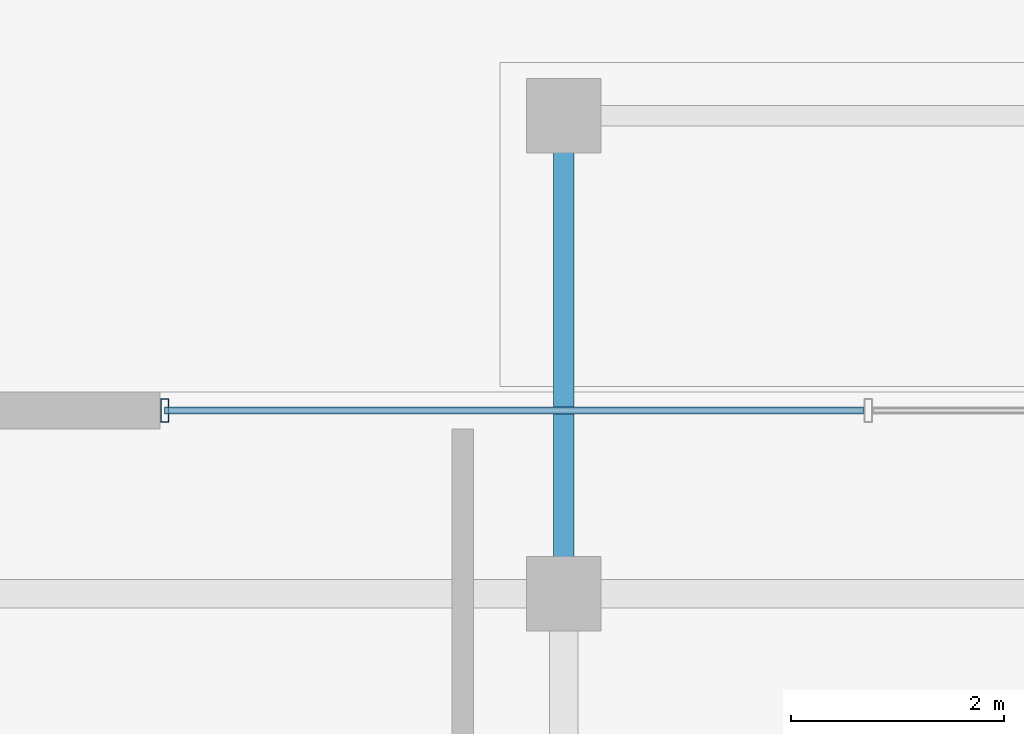
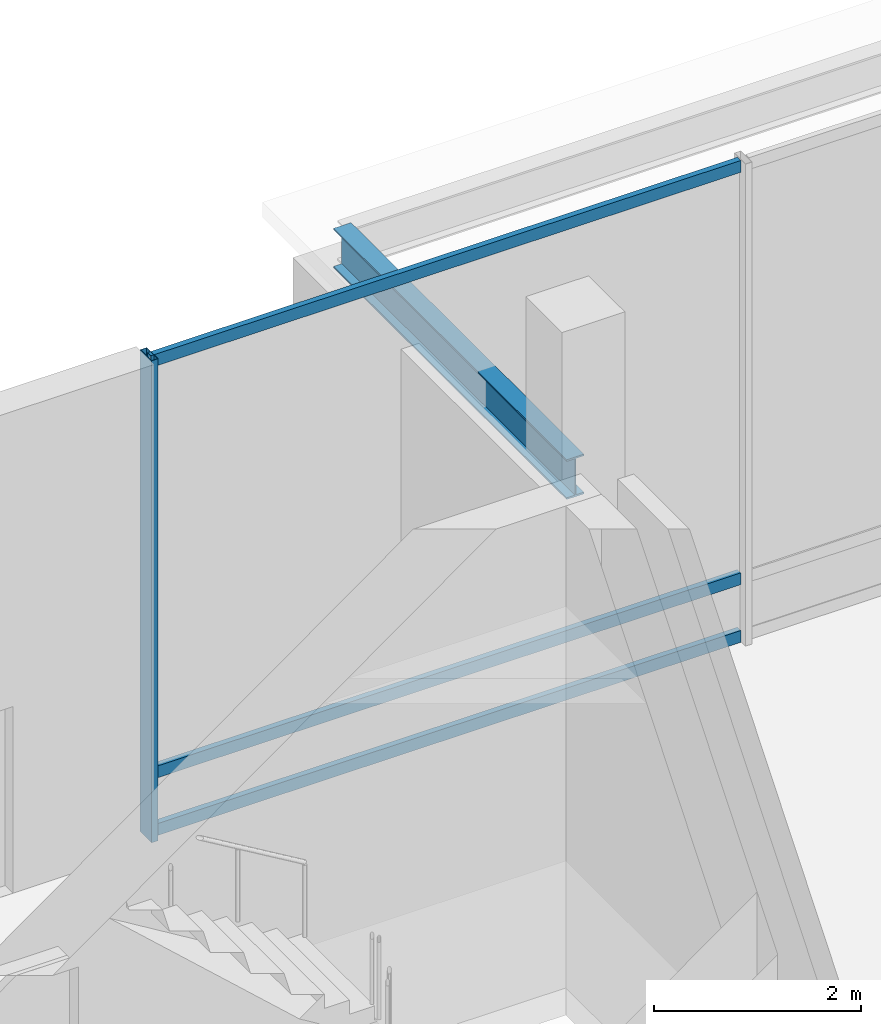
# One storey, part 20 of 34: 4 members, 1 beam, 1 element without a shape of its own.
"""IFC4 building model written with IfcOpenShell, lengths in metres."""

from ifc_helpers import new_model, si_unit, direction, frame, origin, origin_2d, place, context, subcontext, project, spatial, hollow_rectangle, i_section, extrude, material, layer, layer_set, material_profile, profile_set, type_object, element, aggregate, save


model = new_model("IFC4")

# Units and contexts
model_context = context("Model", 3, precision=1e-05, world=origin(), true_north=direction((0.0, 1.0)))
body_context = subcontext(model_context, "Body", "Model", "MODEL_VIEW")
ifc_project = project(units=[si_unit("LENGTHUNIT", "METRE"), si_unit("AREAUNIT", "SQUARE_METRE"), si_unit("VOLUMEUNIT", "CUBIC_METRE"), si_unit("PLANEANGLEUNIT", "RADIAN"), si_unit("MASSUNIT", "GRAM", prefix="KILO")], contexts=[model_context])

# Site, building, storey
site_placement = place(None, origin())
site = spatial("IfcSite", under=ifc_project, at=site_placement, CompositionType="ELEMENT")
building_placement = place(site_placement, origin())
building = spatial("IfcBuilding", under=site, at=building_placement, Name="Barlavira Tower and Art Museum", CompositionType="ELEMENT")
storey_placement = place(building_placement, origin())
storey = spatial("IfcBuildingStorey", under=building, at=storey_placement, Name="L00", CompositionType="ELEMENT", Elevation=0.0)

# Beam
ifc_material_1 = material(Name="Steel S355", Category="steel")
ifc_material_profile_1 = material_profile(ifc_material_1, i_section(OverallWidth=0.194091796875, OverallDepth=0.468994140625, WebThickness=0.0126953125, FlangeThickness=0.0205078125, at=origin_2d()), Name="W460x106.0")
ifc_profile_set_1 = profile_set([ifc_material_profile_1], Name="Steel S355")
beam_type = type_object("IfcBeamType", Name="Covered Arcade Roof Girder W460x106 Steel S355", PredefinedType="BEAM", material=ifc_profile_set_1)
beam_placement = place(storey_placement, frame((38.800048828125, 22.10009765625, 3.965576171875), z_axis=(0.0, 1.0, 0.0), x_axis=(-1.0, 0.0, 0.0)))
element("IfcBeam", 1, at=beam_placement, inside=storey, type_object=beam_type, Name="L00 N Pergola Tie Beam 1", PredefinedType="BEAM", context=body_context, shape_type="SweptSolid", body=[
    extrude(i_section(OverallWidth=0.194091796875, OverallDepth=0.468994140625, WebThickness=0.0126953125, FlangeThickness=0.0205078125, at=origin_2d()), origin(), (0.0, 0.0, 1.0), 4.5),
])

# Curtain wall, members
ifc_material_2 = material(Name="Low-iron coastal laminated glass", Category="glass")
ifc_layer = layer(ifc_material_2, 0.199951171875, Name="Low-iron coastal laminated glass")
ifc_layer_set = layer_set([ifc_layer], Name="Low-iron coastal laminated glass")
curtain_wall_type = type_object("IfcCurtainWallType", Name="Coastal Art Museum North-Light Curtain Wall", PredefinedType="NOTDEFINED", material=ifc_layer_set)
curtain_wall_placement = place(storey_placement, origin())
curtain_wall = element("IfcCurtainWall", 2, at=curtain_wall_placement, inside=storey, type_object=curtain_wall_type, Name="L00 Curtain Wall CW6-MUS-L00-N", PredefinedType="NOTDEFINED")
ifc_material_3 = material(Name="Pale anodised aluminium", Category="aluminium")
ifc_material_profile_2 = material_profile(ifc_material_3, hollow_rectangle(XDim=0.074951171875, YDim=0.219970703125, WallThickness=0.0048828125, at=origin_2d()), Name="ALU-MULL 75x220x5")
ifc_profile_set_2 = profile_set([ifc_material_profile_2], Name="Pale anodised aluminium")
member_type_1 = type_object("IfcMemberType", Name="Curtain Wall Heavy Pale-Metal Mullion 75x220", PredefinedType="MULLION", material=ifc_profile_set_2)
member_1_placement = place(storey_placement, frame((35.044921875, 23.824951171875, 0.0), z_axis=(0.0, 0.0, 1.0), x_axis=(-1.0, 0.0, 0.0)))
member_1 = element("IfcMember", 3, at=member_1_placement, type_object=member_type_1, Name="CW6-MUS-L00-N Mullion 3", PredefinedType="MULLION", context=body_context, shape_type="SweptSolid", body=[
    extrude(hollow_rectangle(XDim=0.074951171875, YDim=0.219970703125, WallThickness=0.0048828125, at=origin_2d()), origin(), (0.0, 0.0, 1.0), 5.679931640625),
])
ifc_material_profile_3 = material_profile(ifc_material_3, hollow_rectangle(XDim=0.06494140625, YDim=0.139892578125, WallThickness=0.00390625, at=origin_2d()), Name="ALU-TRAN 65x140x4")
ifc_profile_set_3 = profile_set([ifc_material_profile_3], Name="Pale anodised aluminium")
member_type_2 = type_object("IfcMemberType", Name="Curtain Wall Pale-Metal Transom 65x140", PredefinedType="USERDEFINED", material=ifc_profile_set_3)
member_2_placement = place(storey_placement, frame((41.62158203125, 23.824951171875, 0.070068359375), z_axis=(-1.0, 0.0, 0.0), x_axis=(0.0, -1.0, 0.0)))
member_2 = element("IfcMember", 4, at=member_2_placement, type_object=member_type_2, Name="CW6-MUS-L00-N Transom 2.1", ObjectType="TRANSOM", PredefinedType="USERDEFINED", context=body_context, shape_type="SweptSolid", body=[
    extrude(hollow_rectangle(XDim=0.06494140625, YDim=0.139892578125, WallThickness=0.00390625, at=origin_2d()), origin(), (0.0, 0.0, 1.0), 6.57666015625),
])
member_3_placement = place(storey_placement, frame((41.62158203125, 23.824951171875, 0.75), z_axis=(-1.0, 0.0, 0.0), x_axis=(0.0, -1.0, 0.0)))
member_3 = element("IfcMember", 5, at=member_3_placement, type_object=member_type_2, Name="CW6-MUS-L00-N Transom 2.2", ObjectType="TRANSOM", PredefinedType="USERDEFINED", context=body_context, shape_type="SweptSolid", body=[
    extrude(hollow_rectangle(XDim=0.06494140625, YDim=0.139892578125, WallThickness=0.00390625, at=origin_2d()), origin(), (0.0, 0.0, 1.0), 6.57666015625),
])
member_4_placement = place(storey_placement, frame((41.62158203125, 23.824951171875, 5.610107421875), z_axis=(-1.0, 0.0, 0.0), x_axis=(0.0, -1.0, 0.0)))
member_4 = element("IfcMember", 6, at=member_4_placement, type_object=member_type_2, Name="CW6-MUS-L00-N Transom 2.3", ObjectType="TRANSOM", PredefinedType="USERDEFINED", context=body_context, shape_type="SweptSolid", body=[
    extrude(hollow_rectangle(XDim=0.06494140625, YDim=0.139892578125, WallThickness=0.00390625, at=origin_2d()), origin(), (0.0, 0.0, 1.0), 6.57666015625),
])
aggregate(curtain_wall, [member_1, member_2, member_3, member_4])

save(model, "model.ifc")
